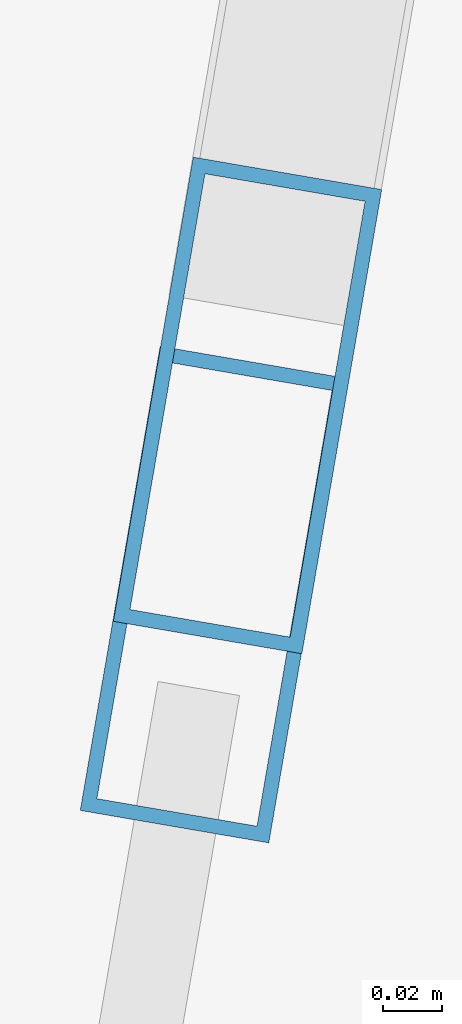
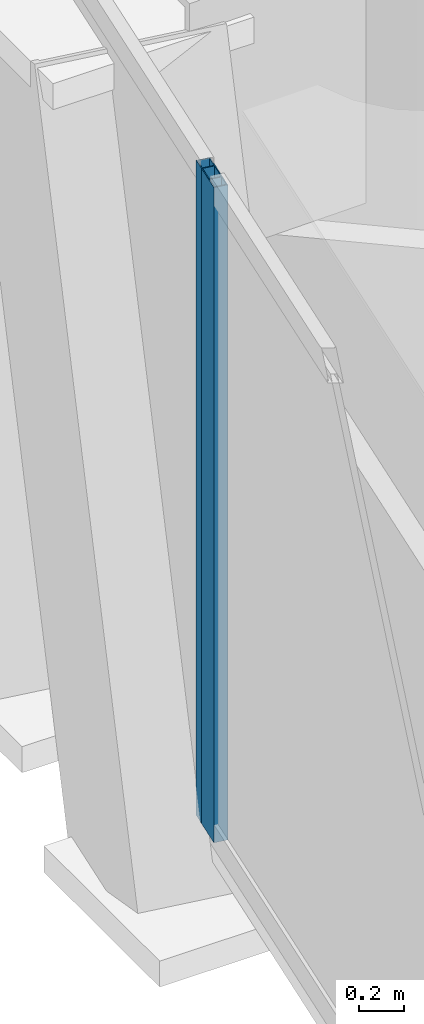
# One storey, part 4 of 21: 2 members, 2 elements without a shape of their own.
"""IFC4 building model written with IfcOpenShell, lengths in metres."""

from ifc_helpers import new_model, si_unit, direction, frame, origin, origin_2d, place, context, subcontext, project, spatial, hollow_rectangle, extrude, material, layer, layer_set, material_profile, profile_set, type_object, element, aggregate, save


model = new_model("IFC4")

# Units and contexts
model_context = context("Model", 3, precision=1e-05, world=origin(), true_north=direction((0.0, 1.0)))
body_context = subcontext(model_context, "Body", "Model", "MODEL_VIEW")
ifc_project = project(units=[si_unit("LENGTHUNIT", "METRE"), si_unit("AREAUNIT", "SQUARE_METRE"), si_unit("VOLUMEUNIT", "CUBIC_METRE"), si_unit("PLANEANGLEUNIT", "RADIAN"), si_unit("MASSUNIT", "GRAM", prefix="KILO")], contexts=[model_context])

# Site, building, storey
site_placement = place(None, origin())
site = spatial("IfcSite", under=ifc_project, at=site_placement, CompositionType="ELEMENT")
building_placement = place(site_placement, origin())
building = spatial("IfcBuilding", under=site, at=building_placement, Name="Qianvela Tower", CompositionType="ELEMENT")
storey_placement = place(building_placement, frame((0.0, 0.0, 112.60009765625)))
storey = spatial("IfcBuildingStorey", under=building, at=storey_placement, Name="L28", CompositionType="ELEMENT", Elevation=112.60009765625)

# Curtain wall, member
ifc_material_1 = material(Name="Anodised Architectural Aluminium and Insulated Spandrel Panel", Category="aluminium")
ifc_layer_1 = layer(ifc_material_1, 0.179931640625)
ifc_layer_set_1 = layer_set([ifc_layer_1], Name="Anodised Architectural Aluminium and Insulated Spandrel Panel")
curtain_wall_type_1 = type_object("IfcCurtainWallType", Name="CW-BRACEBAY", PredefinedType="USERDEFINED", material=ifc_layer_set_1)
curtain_wall_1_placement = place(storey_placement, origin())
curtain_wall_1 = element("IfcCurtainWall", 1, at=curtain_wall_1_placement, inside=storey, type_object=curtain_wall_type_1, Name="L28 CW-BRACEBAY Curtain Wall 04B", ObjectType="CURTAIN_WALL_SYSTEM", PredefinedType="USERDEFINED")
ifc_material_2 = material(Name="Anodised Architectural Aluminium 6063-T6", Category="aluminium")
ifc_material_profile_1 = material_profile(ifc_material_2, hollow_rectangle(XDim=0.06494140625, YDim=0.159912109375, WallThickness=0.0048828125, at=origin_2d()), Name="ALU-MULL-65x160")
ifc_profile_set_1 = profile_set([ifc_material_profile_1], Name="Anodised Architectural Aluminium 6063-T6")
member_type_1 = type_object("IfcMemberType", Name="CW-BRACEBAY-MULL", PredefinedType="MULLION", material=ifc_profile_set_1)
member_1_placement = place(storey_placement, frame((20.755615234375, 25.989990234375, 0.0), z_axis=(0.0, 0.0, 1.0), x_axis=(0.985527668132, -0.169514646408, 0.0)))
member_1 = element("IfcMember", 2, at=member_1_placement, type_object=member_type_1, Name="CW-9 mullion 2", PredefinedType="MULLION", context=body_context, shape_type="SweptSolid", body=[
    extrude(hollow_rectangle(XDim=0.06494140625, YDim=0.159912109375, WallThickness=0.0048828125, at=origin_2d()), origin(), (0.0, 0.0, 1.0), 3.52001953125),
])
aggregate(curtain_wall_1, [member_1])

ifc_material_3 = material(Name="Anodised Architectural Aluminium and Low-E Glass", Category="aluminium")
ifc_layer_2 = layer(ifc_material_3, 0.169921875)
ifc_layer_set_2 = layer_set([ifc_layer_2], Name="Anodised Architectural Aluminium and Low-E Glass")
curtain_wall_type_2 = type_object("IfcCurtainWallType", Name="CW-COLIV-Z34", PredefinedType="USERDEFINED", material=ifc_layer_set_2)
curtain_wall_2_placement = place(storey_placement, origin())
curtain_wall_2 = element("IfcCurtainWall", 3, at=curtain_wall_2_placement, inside=storey, type_object=curtain_wall_type_2, Name="L28 CW-COLIV-Z34 Curtain Wall 04C", ObjectType="CURTAIN_WALL_SYSTEM", PredefinedType="USERDEFINED")
ifc_material_4 = material(Name="Anodised Architectural Aluminium 6063-T6", Category="aluminium")
ifc_material_profile_2 = material_profile(ifc_material_4, hollow_rectangle(XDim=0.06494140625, YDim=0.159912109375, WallThickness=0.0048828125, at=origin_2d()), Name="ALU-MULL-65x160")
ifc_profile_set_2 = profile_set([ifc_material_profile_2], Name="Anodised Architectural Aluminium 6063-T6")
member_type_2 = type_object("IfcMemberType", Name="CW-COLIV-Z34-MULL", PredefinedType="MULLION", material=ifc_profile_set_2)
member_2_placement = place(storey_placement, frame((20.744384765625, 25.92578125, 0.0), z_axis=(0.0, 0.0, 1.0), x_axis=(0.985526914392, -0.169519028457, 0.0)))
member_2 = element("IfcMember", 4, at=member_2_placement, type_object=member_type_2, Name="CW-4 mullion 1", PredefinedType="MULLION", context=body_context, shape_type="SweptSolid", body=[
    extrude(hollow_rectangle(XDim=0.06494140625, YDim=0.159912109375, WallThickness=0.0048828125, at=origin_2d()), origin(), (0.0, 0.0, 1.0), 3.52001953125),
])
aggregate(curtain_wall_2, [member_2])

save(model, "model.ifc")
